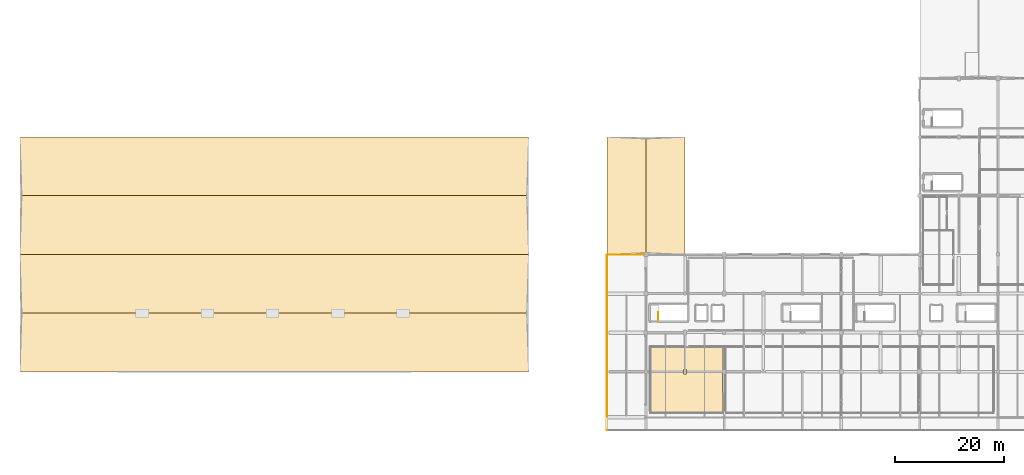
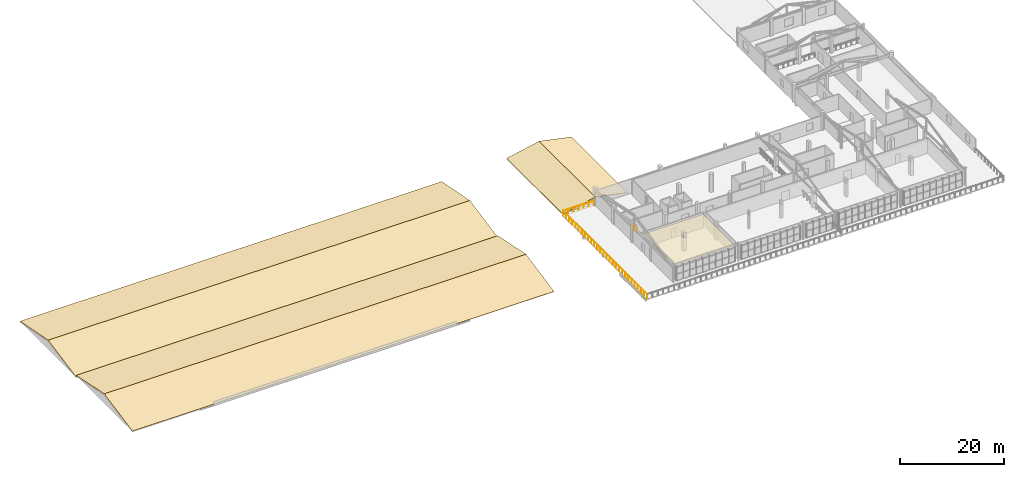
# One storey, part 39 of 41: 7 coverings, 3 railings.
"""IFC4 building model written with IfcOpenShell, lengths in metres."""

from ifc_helpers import new_model, si_unit, direction, frame, origin, origin_2d, place, context, subcontext, project, spatial, polyline, circle, outline, extrude, material, layer, layer_set, type_object, element, save


model = new_model("IFC4")

# Units and contexts
model_context = context("Model", 3, precision=1e-05, world=origin(), true_north=direction((0.0, 1.0)))
body_context = subcontext(model_context, "Body", "Model", "MODEL_VIEW")
ifc_project = project(units=[si_unit("LENGTHUNIT", "METRE"), si_unit("AREAUNIT", "SQUARE_METRE"), si_unit("VOLUMEUNIT", "CUBIC_METRE"), si_unit("PLANEANGLEUNIT", "RADIAN"), si_unit("MASSUNIT", "GRAM", prefix="KILO")], contexts=[model_context])

# Site, building, storey
site_placement = place(None, origin())
site = spatial("IfcSite", under=ifc_project, at=site_placement, CompositionType="ELEMENT")
building_placement = place(site_placement, origin())
building = spatial("IfcBuilding", under=site, at=building_placement, Name="Solanera Park Tramway Depot", CompositionType="ELEMENT")
storey_placement = place(building_placement, frame((0.0, 0.0, 13.199951171875)))
storey = spatial("IfcBuildingStorey", under=building, at=storey_placement, Name="L03", CompositionType="ELEMENT", Elevation=13.199951171875)

# Covering
ifc_material_1 = material(Name="Acoustic perforated plasterboard and mineral-fibre ceiling")
ifc_layer_1 = layer(ifc_material_1, 0.02001953125)
ifc_layer_set_1 = layer_set([ifc_layer_1], Name="Acoustic perforated plasterboard and mineral-fibre ceiling")
covering_type_1 = type_object("IfcCoveringType", Name="Acoustic Mineral-Fibre Ceiling 20", PredefinedType="CEILING", material=ifc_layer_set_1)
covering_1_placement = place(storey_placement, frame((0.0, 0.0, 3.150146484375)))
element("IfcCovering", 1, at=covering_1_placement, inside=storey, type_object=covering_type_1, Name="Managing Director and Executive Offices Acoustic Ceiling", PredefinedType="CEILING", context=body_context, shape_type="SweptSolid", body=[
    extrude(outline(polyline([(116.0400390625, 15.360107421875), (129.360107421875, 15.360107421875), (129.360107421875, 11.153076171875), (129.322021484375, 10.447021484375), (129.360107421875, 3.239990234375), (116.0400390625, 3.239990234375), (116.0400390625, 15.360107421875)]), holes=[polyline([(122.702880859375, 11.202880859375), (122.096923828125, 11.202880859375), (122.096923828125, 10.39697265625), (122.702880859375, 10.39697265625), (122.702880859375, 11.202880859375)])]), origin(), (0.0, 0.0, 1.0), 0.02001953125),
])

# Railings
ifc_material_2 = material(Name="Powder-coated galvanised steel balustrade", Category="steel")
ifc_layer_2 = layer(ifc_material_2, 0.06005859375)
ifc_layer_set_2 = layer_set([ifc_layer_2], Name="Powder-coated galvanised steel balustrade")
railing_type_1 = type_object("IfcRailingType", Name="Classical Wrought-Style Balustrade 1120", PredefinedType="BALUSTRADE", material=ifc_layer_set_2)
railing_1_placement = place(storey_placement, frame((108.06005859375, 32.340087890625, 0.0)))
element("IfcRailing", 2, at=railing_1_placement, inside=storey, type_object=railing_type_1, Name="L03 Perimeter Deck Balustrade #051", PredefinedType="BALUSTRADE", context=body_context, shape_type="SweptSolid", body=[
    extrude(circle(Radius=0.02392578125, at=origin_2d()), frame((0.0, 0.0, 1.09619140625), z_axis=(1.0, 0.0, 0.0), x_axis=(0.0, 1.0, 0.0)), (0.0, 0.0, 1.0), 6.81982421875),
    extrude(circle(Radius=0.02099609375, at=origin_2d()), origin(), (0.0, 0.0, 1.0), 1.072021484375),
    extrude(circle(Radius=0.02099609375, at=origin_2d()), frame((1.13671875, 0.0, 0.0)), (0.0, 0.0, 1.0), 1.072021484375),
    extrude(circle(Radius=0.02099609375, at=origin_2d()), frame((2.273193359375, 0.0, 0.0)), (0.0, 0.0, 1.0), 1.072021484375),
    extrude(circle(Radius=0.02099609375, at=origin_2d()), frame((3.409912109375, 0.0, 0.0)), (0.0, 0.0, 1.0), 1.072021484375),
    extrude(circle(Radius=0.02099609375, at=origin_2d()), frame((4.546630859375, 0.0, 0.0)), (0.0, 0.0, 1.0), 1.072021484375),
    extrude(circle(Radius=0.02099609375, at=origin_2d()), frame((5.68310546875, 0.0, 0.0)), (0.0, 0.0, 1.0), 1.072021484375),
    extrude(circle(Radius=0.02099609375, at=origin_2d()), frame((6.81982421875, 0.0, 0.0)), (0.0, 0.0, 1.0), 1.072021484375),
])
railing_2_placement = place(storey_placement, frame((108.06005859375, 0.06005859375, 0.0)))
element("IfcRailing", 3, at=railing_2_placement, inside=storey, type_object=railing_type_1, Name="L03 Perimeter Deck Balustrade #054", PredefinedType="BALUSTRADE", context=body_context, shape_type="SweptSolid", body=[
    extrude(circle(Radius=0.02392578125, at=origin_2d()), frame((0.0, 0.0, 1.09619140625), z_axis=(0.0, 1.0, 0.0), x_axis=(-1.0, 0.0, 0.0)), (0.0, 0.0, 1.0), 32.280029296875),
    extrude(circle(Radius=0.02099609375, at=origin_2d()), origin(), (0.0, 0.0, 1.0), 1.072021484375),
    extrude(circle(Radius=0.02099609375, at=origin_2d()), frame((0.0, 1.195556640625, 0.0)), (0.0, 0.0, 1.0), 1.072021484375),
    extrude(circle(Radius=0.02099609375, at=origin_2d()), frame((0.0, 2.39111328125, 0.0)), (0.0, 0.0, 1.0), 1.072021484375),
    extrude(circle(Radius=0.02099609375, at=origin_2d()), frame((0.0, 3.586669921875, 0.0)), (0.0, 0.0, 1.0), 1.072021484375),
    extrude(circle(Radius=0.02099609375, at=origin_2d()), frame((0.0, 4.7822265625, 0.0)), (0.0, 0.0, 1.0), 1.072021484375),
    extrude(circle(Radius=0.02099609375, at=origin_2d()), frame((0.0, 5.977783203125, 0.0)), (0.0, 0.0, 1.0), 1.072021484375),
    extrude(circle(Radius=0.02099609375, at=origin_2d()), frame((0.0, 7.17333984375, 0.0)), (0.0, 0.0, 1.0), 1.072021484375),
    extrude(circle(Radius=0.02099609375, at=origin_2d()), frame((0.0, 8.368896484375, 0.0)), (0.0, 0.0, 1.0), 1.072021484375),
    extrude(circle(Radius=0.02099609375, at=origin_2d()), frame((0.0, 9.564453125, 0.0)), (0.0, 0.0, 1.0), 1.072021484375),
    extrude(circle(Radius=0.02099609375, at=origin_2d()), frame((0.0, 10.760009765625, 0.0)), (0.0, 0.0, 1.0), 1.072021484375),
    extrude(circle(Radius=0.02099609375, at=origin_2d()), frame((0.0, 11.95556640625, 0.0)), (0.0, 0.0, 1.0), 1.072021484375),
    extrude(circle(Radius=0.02099609375, at=origin_2d()), frame((0.0, 13.151123046875, 0.0)), (0.0, 0.0, 1.0), 1.072021484375),
    extrude(circle(Radius=0.02099609375, at=origin_2d()), frame((0.0, 14.3466796875, 0.0)), (0.0, 0.0, 1.0), 1.072021484375),
    extrude(circle(Radius=0.02099609375, at=origin_2d()), frame((0.0, 15.542236328125, 0.0)), (0.0, 0.0, 1.0), 1.072021484375),
    extrude(circle(Radius=0.02099609375, at=origin_2d()), frame((0.0, 16.73779296875, 0.0)), (0.0, 0.0, 1.0), 1.072021484375),
    extrude(circle(Radius=0.02099609375, at=origin_2d()), frame((0.0, 17.933349609375, 0.0)), (0.0, 0.0, 1.0), 1.072021484375),
    extrude(circle(Radius=0.02099609375, at=origin_2d()), frame((0.0, 19.12890625, 0.0)), (0.0, 0.0, 1.0), 1.072021484375),
    extrude(circle(Radius=0.02099609375, at=origin_2d()), frame((0.0, 20.324462890625, 0.0)), (0.0, 0.0, 1.0), 1.072021484375),
    extrude(circle(Radius=0.02099609375, at=origin_2d()), frame((0.0, 21.52001953125, 0.0)), (0.0, 0.0, 1.0), 1.072021484375),
    extrude(circle(Radius=0.02099609375, at=origin_2d()), frame((0.0, 22.715576171875, 0.0)), (0.0, 0.0, 1.0), 1.072021484375),
    extrude(circle(Radius=0.02099609375, at=origin_2d()), frame((0.0, 23.9111328125, 0.0)), (0.0, 0.0, 1.0), 1.072021484375),
    extrude(circle(Radius=0.02099609375, at=origin_2d()), frame((0.0, 25.106689453125, 0.0)), (0.0, 0.0, 1.0), 1.072021484375),
    extrude(circle(Radius=0.02099609375, at=origin_2d()), frame((0.0, 26.30224609375, 0.0)), (0.0, 0.0, 1.0), 1.072021484375),
    extrude(circle(Radius=0.02099609375, at=origin_2d()), frame((0.0, 27.497802734375, 0.0)), (0.0, 0.0, 1.0), 1.072021484375),
    extrude(circle(Radius=0.02099609375, at=origin_2d()), frame((0.0, 28.693359375, 0.0)), (0.0, 0.0, 1.0), 1.072021484375),
    extrude(circle(Radius=0.02099609375, at=origin_2d()), frame((0.0, 29.888916015625, 0.0)), (0.0, 0.0, 1.0), 1.072021484375),
    extrude(circle(Radius=0.02099609375, at=origin_2d()), frame((0.0, 31.08447265625, 0.0)), (0.0, 0.0, 1.0), 1.072021484375),
    extrude(circle(Radius=0.02099609375, at=origin_2d()), frame((0.0, 32.280029296875, 0.0)), (0.0, 0.0, 1.0), 1.072021484375),
])
ifc_material_3 = material(Name="Steel AS/NZS 1163 Grade C350L0", Category="steel")
ifc_layer_3 = layer(ifc_material_3, 0.06005859375)
ifc_layer_set_3 = layer_set([ifc_layer_3], Name="Steel AS/NZS 1163 Grade C350L0")
railing_type_2 = type_object("IfcRailingType", Name="Stairwell Guardrail 1100", PredefinedType="GUARDRAIL", material=ifc_layer_set_3)
railing_3_placement = place(storey_placement, frame((117.449951171875, 20.199951171875, 0.0)))
element("IfcRailing", 4, at=railing_3_placement, inside=storey, type_object=railing_type_2, Name="ST-01 Top Landing Guard 1", PredefinedType="GUARDRAIL", context=body_context, shape_type="SweptSolid", body=[
    extrude(circle(Radius=0.02392578125, at=origin_2d()), frame((0.0, 0.0, 1.076171875), z_axis=(0.0, 1.0, 0.0), x_axis=(-1.0, 0.0, 0.0)), (0.0, 0.0, 1.0), 1.550048828125),
    extrude(circle(Radius=0.02099609375, at=origin_2d()), origin(), (0.0, 0.0, 1.0), 1.052001953125),
    extrude(circle(Radius=0.02099609375, at=origin_2d()), frame((0.0, 0.77490234375, 0.0)), (0.0, 0.0, 1.0), 1.052001953125),
    extrude(circle(Radius=0.02099609375, at=origin_2d()), frame((0.0, 1.550048828125, 0.0)), (0.0, 0.0, 1.0), 1.052001953125),
])

# Coverings
ifc_material_4 = material(Name="Mission terracotta clay barrel tile", Category="masonry")
ifc_layer_4 = layer(ifc_material_4, 0.044921875)
ifc_layer_set_4 = layer_set([ifc_layer_4], Name="Mission terracotta clay barrel tile")
covering_type_2 = type_object("IfcCoveringType", Name="Terracotta Clay Barrel Tile Roofing 45", PredefinedType="ROOFING", material=ifc_layer_set_4)
covering_2_placement = place(storey_placement, frame((0.0, 10.800048828125, 0.28564453125), z_axis=(0.0, -0.199110119919, 0.979977122256), x_axis=(1.0, 0.0, 0.0)))
element("IfcCovering", 5, at=covering_2_placement, inside=storey, type_object=covering_type_2, Name="Terracotta Barrel Tile Roof Covering V2-HI.1", PredefinedType="ROOFING", context=body_context, shape_type="SweptSolid", body=[
    extrude(outline(polyline([(0.0, 0.0), (93.60009765625, 0.0), (93.60009765625, 11.02071526247222), (0.0, 11.02071526247222), (0.0, 0.0)])), origin(), (0.0, 0.0, -1.0), 0.044921875),
])
covering_3_placement = place(storey_placement, frame((0.0, 21.60009765625, 2.47998046875), z_axis=(0.0, 0.199114442556, 0.97997624398), x_axis=(1.0, 0.0, 0.0)))
element("IfcCovering", 6, at=covering_3_placement, inside=storey, type_object=covering_type_2, Name="Terracotta Barrel Tile Roof Covering V2-HI.2", PredefinedType="ROOFING", context=body_context, shape_type="SweptSolid", body=[
    extrude(outline(polyline([(0.0, 0.0), (93.60009765625, 0.0), (93.60009765625, 11.02047601035232), (0.0, 11.02047601035232), (0.0, 0.0)])), origin(), (0.0, 0.0, -1.0), 0.044921875),
])
for number, where, z_axis, x_axis, name in (
    (7, (0.0, 32.39990234375, -0.114501953125), (0.0, -0.190385535863, 0.981709400859), (1.0, 0.0, 0.0), "Terracotta Barrel Tile Roof Covering V2-CR.1"),
    (8, (0.0, 43.199951171875, 1.97998046875), (0.0, 0.190385535863, 0.981709400859), (1.0, 0.0, 0.0), "Terracotta Barrel Tile Roof Covering V2-CR.2"),
):
    element("IfcCovering", number, at=place(storey_placement, frame(where, z_axis=z_axis, x_axis=x_axis)), inside=storey, type_object=covering_type_2, Name=name, PredefinedType="ROOFING", context=body_context, shape_type="SweptSolid", body=[
        extrude(outline(polyline([(0.0, 0.0), (93.60009765625, 0.0), (93.60009765625, 11.001268622546565), (0.0, 11.001268622546565), (0.0, 0.0)])), origin(), (0.0, 0.0, -1.0), 0.044921875),
    ])
for number, where, z_axis, x_axis, name in (
    (9, (108.0, 32.39990234375, 0.285888671875), (-0.20319183343, 0.0, 0.979138947661), (0.979138947661, 0.0, 0.20319183343), "Terracotta Barrel Tile Roof Covering V4W-RF.1"),
    (10, (115.199951171875, 32.39990234375, 1.780029296875), (0.20319183343, 0.0, 0.979138947661), (0.979138947661, 0.0, -0.20319183343), "Terracotta Barrel Tile Roof Covering V4W-RF.2"),
):
    element("IfcCovering", number, at=place(storey_placement, frame(where, z_axis=z_axis, x_axis=x_axis)), inside=storey, type_object=covering_type_2, Name=name, PredefinedType="ROOFING", context=body_context, shape_type="SweptSolid", body=[
        extrude(outline(polyline([(0.0, 0.0), (7.353349786638711, 0.0), (7.353349786638711, 21.60009765625), (0.0, 21.60009765625), (0.0, 0.0)])), origin(), (0.0, 0.0, -1.0), 0.044921875),
    ])

save(model, "model.ifc")
